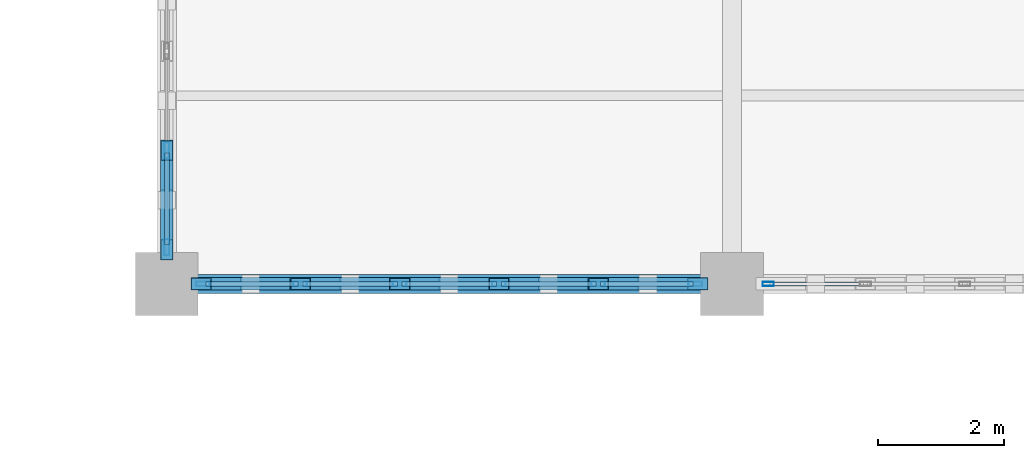
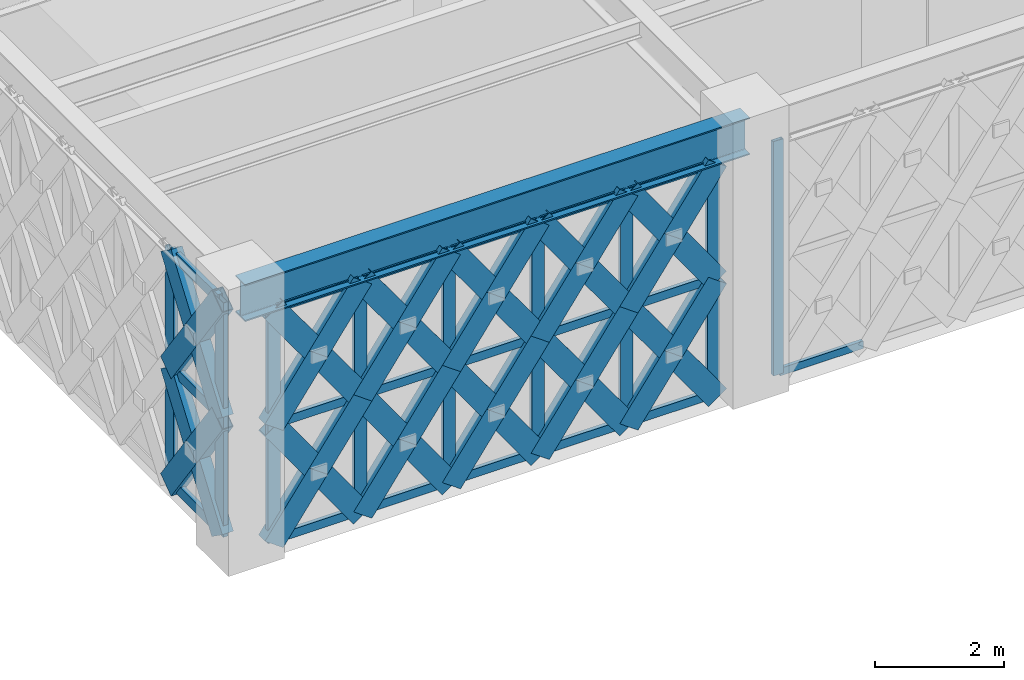
# One storey, part 8 of 140: 64 members, 1 beam, 3 elements without a shape of their own.
"""IFC4 building model written with IfcOpenShell, lengths in metres."""

import ifcopenshell
import ifcopenshell.guid

model = None  # the IFC model being written
_history = None  # IfcOwnerHistory: only IFC2X3 demands one
_inside = {}  # id of a spatial element -> (the spatial element, [elements in it])
_under = {}  # id of a project, library or spatial element -> (it, [spatial elements below it])
_declared = {}  # id of a project -> (the project, [libraries it declares])
_typed = {}  # id of a type object -> (the type object, [elements of that type])
_made_of = {}  # id of a material, layer set ... -> (it, [elements and type objects made of it])


def new_model(schema):
    """Start an empty IFC model of exactly this schema.

    Asked for "IFC4X3", IfcOpenShell would pick the latest addendum, in which some entities
    have other attributes; the version numbers below select the first issue.
    IFC2X3 requires an IfcOwnerHistory on every rooted entity: one is made here for all.
    """
    global model, _history
    if schema == "IFC4X3":
        model = ifcopenshell.file(schema_version=(4, 3, 0, 0))
    else:
        model = ifcopenshell.file(schema=schema)
    _inside.clear()
    _under.clear()
    _declared.clear()
    _typed.clear()
    _made_of.clear()
    _history = None
    if model.schema == "IFC2X3":
        org = make("IfcOrganization", Name="unknown")
        user = make(
            "IfcPersonAndOrganization",
            ThePerson=make("IfcPerson", FamilyName="unknown"),
            TheOrganization=org,
        )
        app = make(
            "IfcApplication",
            ApplicationDeveloper=org,
            Version="unknown",
            ApplicationFullName="unknown",
            ApplicationIdentifier="unknown",
        )
        _history = make(
            "IfcOwnerHistory",
            OwningUser=user,
            OwningApplication=app,
            ChangeAction="ADDED",
            CreationDate=0,
        )
    return model


def make(cls, **values):
    """One entity of the class cls with the attributes given. An attribute that is None is left unset."""
    return model.create_entity(
        cls, **{name: value for name, value in values.items() if value is not None}
    )


def rooted(cls, **values):
    """An entity with a GlobalId (a new one), such as an element, a storey or a relation."""
    return make(cls, GlobalId=ifcopenshell.guid.new(), OwnerHistory=_history, **values)


def si_unit(unit_type, name, prefix=None):
    """IfcSIUnit, for example si_unit("LENGTHUNIT", "METRE", prefix="MILLI")."""
    return make("IfcSIUnit", UnitType=unit_type, Prefix=prefix, Name=name)


def assignment(units):
    """IfcUnitAssignment: the units of a project."""
    return None if units is None else make("IfcUnitAssignment", Units=units)


def point(xyz):
    """IfcCartesianPoint."""
    return None if xyz is None else make("IfcCartesianPoint", Coordinates=xyz)


def direction(xyz):
    """IfcDirection."""
    return None if xyz is None else make("IfcDirection", DirectionRatios=xyz)


def frame(location, z_axis=None, x_axis=None):
    """IfcAxis2Placement3D, a coordinate frame: its origin and axes. An axis left out is left unset."""
    return make(
        "IfcAxis2Placement3D",
        Location=point(location),
        Axis=direction(z_axis),
        RefDirection=direction(x_axis),
    )


def frame_2d(location, x_axis=None):
    """IfcAxis2Placement2D, a coordinate frame in the plane: its origin and x axis."""
    return make(
        "IfcAxis2Placement2D", Location=point(location), RefDirection=direction(x_axis)
    )


def origin():
    """The frame at (0, 0, 0) with its axes left unset."""
    return frame((0.0, 0.0, 0.0))


def origin_2d():
    """The frame at (0, 0) in the plane with its x axis left unset."""
    return frame_2d((0.0, 0.0))


def place(relative_to, where):
    """IfcLocalPlacement: puts the frame where relative to a parent placement (None: the world)."""
    return make(
        "IfcLocalPlacement", PlacementRelTo=relative_to, RelativePlacement=where
    )


def context(
    kind, dimensions, precision=None, world=None, true_north=None, identifier=None
):
    """IfcGeometricRepresentationContext, for example the 3D "Model" context."""
    return make(
        "IfcGeometricRepresentationContext",
        ContextIdentifier=identifier,
        ContextType=kind,
        CoordinateSpaceDimension=dimensions,
        Precision=precision,
        WorldCoordinateSystem=world,
        TrueNorth=true_north,
    )


def subcontext(parent, identifier, kind, view, scale=None):
    """IfcGeometricRepresentationSubContext, for example "Body" below "Model"."""
    return make(
        "IfcGeometricRepresentationSubContext",
        ContextIdentifier=identifier,
        ContextType=kind,
        ParentContext=parent,
        TargetScale=scale,
        TargetView=view,
    )


def project(units=None, contexts=None):
    """IfcProject with its units and contexts."""
    return rooted(
        "IfcProject",
        Name="project",
        RepresentationContexts=contexts,
        UnitsInContext=assignment(units),
    )


def spatial(cls, under=None, at=None, **own):
    """A site, building, storey or space (cls), placed at a placement, below another one or the project."""
    s = rooted(cls, ObjectPlacement=at, **own)
    if under is not None:
        _under.setdefault(under.id(), (under, []))[1].append(s)
    return s


def profile(cls, at=None, kind="AREA", **sizes):
    """A parametric profile (cls). Its sizes go by their IFC names, for example OverallWidth=200.0."""
    return make(cls, ProfileType=kind, Position=at, **sizes)


def hollow_rectangle(**sizes):
    """IfcRectangleHollowProfileDef."""
    return profile("IfcRectangleHollowProfileDef", **sizes)


def i_section(**sizes):
    """IfcIShapeProfileDef."""
    return profile("IfcIShapeProfileDef", **sizes)


def extrude(swept, where, along, depth):
    """IfcExtrudedAreaSolid: the profile swept, set in the frame where, extruded along a direction by depth."""
    return make(
        "IfcExtrudedAreaSolid",
        SweptArea=swept,
        Position=where,
        ExtrudedDirection=direction(along),
        Depth=depth,
    )


def shape(context_of_items, identifier, shape_type, items):
    """IfcShapeRepresentation: the items that make up one representation, for example the "Body"."""
    return make(
        "IfcShapeRepresentation",
        ContextOfItems=context_of_items,
        RepresentationIdentifier=identifier,
        RepresentationType=shape_type,
        Items=items,
    )


def material(Name=None, Category=None):
    """IfcMaterial."""
    return make("IfcMaterial", Name=Name, Category=Category)


def material_profile(
    of_material, cross_section, Name=None, Category=None, Priority=None
):
    """IfcMaterialProfile: a cross section and its material."""
    return make(
        "IfcMaterialProfile",
        Name=Name,
        Material=of_material,
        Profile=cross_section,
        Priority=Priority,
        Category=Category,
    )


def profile_set(profiles, Name=None, composite=None):
    """IfcMaterialProfileSet."""
    return make(
        "IfcMaterialProfileSet",
        Name=Name,
        MaterialProfiles=profiles,
        CompositeProfile=composite,
    )


def made_of(thing, what):
    """Note that an element or type object is made of a material, layer set ...; save() writes the relation."""
    if what is not None:
        _made_of.setdefault(what.id(), (what, []))[1].append(thing)
    return thing


def type_object(cls, material=None, **own):
    """A type object (cls), such as IfcWallType, which elements share."""
    return made_of(rooted(cls, **own), material)


def element(
    cls,
    number,
    at=None,
    inside=None,
    cuts=None,
    type_object=None,
    material=None,
    context=None,
    identifier="Body",
    shape_type=None,
    held_by="IfcProductDefinitionShape",
    body=None,
    shapes=None,
    **own,
):
    """One element of the class cls, such as IfcWall. Its Tag is "e" and its number.

    at: its placement. inside: the storey or other place that contains it. cuts: it is an
    opening in that element (IfcRelVoidsElement). A single representation is given by context,
    identifier, shape_type and body (its items); several are given by shapes. held_by: the class
    of the entity that holds the representations. save() writes the other relations.
    """
    e = rooted(cls, Tag="e%d" % number, ObjectPlacement=at, **own)
    if body is not None:
        shapes = [shape(context, identifier, shape_type, body)]
    if shapes is not None:
        e.Representation = make(held_by, Representations=shapes)
    if inside is not None:
        _inside.setdefault(inside.id(), (inside, []))[1].append(e)
    if cuts is not None:
        rooted(
            "IfcRelVoidsElement", RelatingBuildingElement=cuts, RelatedOpeningElement=e
        )
    if type_object is not None:
        _typed.setdefault(type_object.id(), (type_object, []))[1].append(e)
    return made_of(e, material)


def aggregate(whole, parts):
    """IfcRelAggregates: a whole, such as a stair, and the parts it consists of."""
    return rooted("IfcRelAggregates", RelatingObject=whole, RelatedObjects=parts)


def save(model, path):
    """Write the relations noted so far, then the file.

    IfcRelAggregates (storeys below a building ...), IfcRelContainedInSpatialStructure (elements
    in a storey), IfcRelDefinesByType, IfcRelAssociatesMaterial and IfcRelDeclares: one each for
    every whole, place, type object, material and project.
    """
    for whole, parts in _under.values():
        aggregate(whole, parts)
    for where, things in _inside.values():
        rooted(
            "IfcRelContainedInSpatialStructure",
            RelatedElements=things,
            RelatingStructure=where,
        )
    for kind, things in _typed.values():
        rooted("IfcRelDefinesByType", RelatedObjects=things, RelatingType=kind)
    for what, things in _made_of.values():
        rooted("IfcRelAssociatesMaterial", RelatedObjects=things, RelatingMaterial=what)
    for by, libraries in _declared.values():
        rooted("IfcRelDeclares", RelatingContext=by, RelatedDefinitions=libraries)
    model.write(path)


model = new_model("IFC4")

# Units and contexts
model_context = context("Model", 3, precision=1e-05, world=origin(), true_north=direction((0.0, 1.0)))
body_context = subcontext(model_context, "Body", "Model", "MODEL_VIEW")
ifc_project = project(units=[si_unit("LENGTHUNIT", "METRE"), si_unit("AREAUNIT", "SQUARE_METRE"), si_unit("VOLUMEUNIT", "CUBIC_METRE"), si_unit("PLANEANGLEUNIT", "RADIAN"), si_unit("MASSUNIT", "GRAM", prefix="KILO")], contexts=[model_context])

# Site, building, storey
site_placement = place(None, origin())
site = spatial("IfcSite", under=ifc_project, at=site_placement, CompositionType="ELEMENT")
building_placement = place(site_placement, origin())
building = spatial("IfcBuilding", under=site, at=building_placement, Name="Haizhuo Lancet Aquarium", CompositionType="ELEMENT")
storey_placement = place(building_placement, origin())
storey = spatial("IfcBuildingStorey", under=building, at=storey_placement, Name="L00", CompositionType="ELEMENT", Elevation=0.0)

# Beam
ifc_material_1 = material(Name="Steel S355", Category="steel")
ifc_material_profile_1 = material_profile(ifc_material_1, i_section(OverallWidth=0.300048828125, OverallDepth=0.699951171875, WebThickness=0.012939453125, FlangeThickness=0.02392578125, FilletRadius=0.02587890625, at=origin_2d()), Name="HN 700x300x13x24")
ifc_profile_set_1 = profile_set([ifc_material_profile_1], Name="Steel S355")
beam_type = type_object("IfcBeamType", Name="BM-ST-HN700", PredefinedType="BEAM", material=ifc_profile_set_1)
beam_placement = place(storey_placement, frame((-72.0, -27.0, 4.77001953125), z_axis=(1.0, 0.0, 0.0), x_axis=(0.0, 1.0, 0.0)))
element("IfcBeam", 1, at=beam_placement, inside=storey, type_object=beam_type, Name="L00 V6 primary girder BM-L00-V6-005", PredefinedType="BEAM", context=body_context, shape_type="SweptSolid", body=[
    extrude(i_section(OverallWidth=0.300048828125, OverallDepth=0.699951171875, WebThickness=0.012939453125, FlangeThickness=0.02392578125, FilletRadius=0.02587890625, at=origin_2d()), origin(), (0.0, 0.0, 1.0), 9.0),
])

# Curtain wall, member
ifc_material_2 = material(Name="Aluminium 6063-T6", Category="aluminium")
curtain_wall_type = type_object("IfcCurtainWallType", Name="CWD-7910x4420", PredefinedType="NOTDEFINED", material=ifc_material_2)
curtain_wall_1_placement = place(storey_placement, origin())
curtain_wall_1 = element("IfcCurtainWall", 2, at=curtain_wall_1_placement, inside=storey, type_object=curtain_wall_type, Name="L00 curtain wall CW-V6-L00-199", PredefinedType="NOTDEFINED")
ifc_material_profile_2 = material_profile(ifc_material_2, hollow_rectangle(XDim=0.06494140625, YDim=0.179931640625, WallThickness=0.00390625, at=origin_2d()), Name="ALU-M 65x180x4")
ifc_profile_set_2 = profile_set([ifc_material_profile_2], Name="Aluminium 6063-T6")
member_type_1 = type_object("IfcMemberType", Name="CW-MUL-1", PredefinedType="MULLION", material=ifc_profile_set_2)
member_1_placement = place(storey_placement, frame((-62.422119140625, -27.0, 0.0), z_axis=(0.0, 0.0, 1.0), x_axis=(0.0, -1.0, 0.0)))
member_1 = element("IfcMember", 3, at=member_1_placement, type_object=member_type_1, Name="CWD-79x44 mullion 6", PredefinedType="MULLION", context=body_context, shape_type="SweptSolid", body=[
    extrude(hollow_rectangle(XDim=0.06494140625, YDim=0.179931640625, WallThickness=0.00390625, at=origin_2d()), origin(), (0.0, 0.0, 1.0), 4.419921875),
])

# Curtain wall, members
curtain_wall_2_placement = place(storey_placement, origin())
curtain_wall_2 = element("IfcCurtainWall", 4, at=curtain_wall_2_placement, inside=storey, type_object=curtain_wall_type, Name="L00 curtain wall CW-V6-L00-200", PredefinedType="NOTDEFINED")
ifc_material_profile_3 = material_profile(ifc_material_2, hollow_rectangle(XDim=0.074951171875, YDim=0.219970703125, WallThickness=0.0048828125, at=origin_2d()), Name="ALU-M 75x220x5")
ifc_profile_set_3 = profile_set([ifc_material_profile_3], Name="Aluminium 6063-T6")
member_type_2 = type_object("IfcMemberType", Name="CW-MUL-2", PredefinedType="MULLION", material=ifc_profile_set_3)
member_2_placement = place(storey_placement, frame((-63.5830078125, -27.0, 0.0), z_axis=(0.0, 0.0, 1.0), x_axis=(0.0, -1.0, 0.0)))
member_2 = element("IfcMember", 5, at=member_2_placement, type_object=member_type_2, Name="CWD-79x44 mullion 1", PredefinedType="MULLION", context=body_context, shape_type="SweptSolid", body=[
    extrude(hollow_rectangle(XDim=0.074951171875, YDim=0.219970703125, WallThickness=0.0048828125, at=origin_2d()), origin(), (0.0, 0.0, 1.0), 4.419921875),
])
member_3_placement = place(storey_placement, frame((-65.126953125, -27.0, 0.0), z_axis=(0.0, 0.0, 1.0), x_axis=(0.0, -1.0, 0.0)))
member_3 = element("IfcMember", 6, at=member_3_placement, type_object=member_type_2, Name="CWD-79x44 mullion 2", PredefinedType="MULLION", context=body_context, shape_type="SweptSolid", body=[
    extrude(hollow_rectangle(XDim=0.074951171875, YDim=0.219970703125, WallThickness=0.0048828125, at=origin_2d()), origin(), (0.0, 0.0, 1.0), 4.419921875),
])
member_4_placement = place(storey_placement, frame((-66.708984375, -27.0, 0.0), z_axis=(0.0, 0.0, 1.0), x_axis=(0.0, -1.0, 0.0)))
member_4 = element("IfcMember", 7, at=member_4_placement, type_object=member_type_2, Name="CWD-79x44 mullion 3", PredefinedType="MULLION", context=body_context, shape_type="SweptSolid", body=[
    extrude(hollow_rectangle(XDim=0.074951171875, YDim=0.219970703125, WallThickness=0.0048828125, at=origin_2d()), origin(), (0.0, 0.0, 1.0), 4.419921875),
])
member_5_placement = place(storey_placement, frame((-68.291015625, -27.0, 0.0), z_axis=(0.0, 0.0, 1.0), x_axis=(0.0, -1.0, 0.0)))
member_5 = element("IfcMember", 8, at=member_5_placement, type_object=member_type_2, Name="CWD-79x44 mullion 4", PredefinedType="MULLION", context=body_context, shape_type="SweptSolid", body=[
    extrude(hollow_rectangle(XDim=0.074951171875, YDim=0.219970703125, WallThickness=0.0048828125, at=origin_2d()), origin(), (0.0, 0.0, 1.0), 4.419921875),
])
member_6_placement = place(storey_placement, frame((-69.873046875, -27.0, 0.0), z_axis=(0.0, 0.0, 1.0), x_axis=(0.0, -1.0, 0.0)))
member_6 = element("IfcMember", 9, at=member_6_placement, type_object=member_type_2, Name="CWD-79x44 mullion 5", PredefinedType="MULLION", context=body_context, shape_type="SweptSolid", body=[
    extrude(hollow_rectangle(XDim=0.074951171875, YDim=0.219970703125, WallThickness=0.0048828125, at=origin_2d()), origin(), (0.0, 0.0, 1.0), 4.419921875),
])
member_7_placement = place(storey_placement, frame((-71.41796875, -27.0, 0.0), z_axis=(0.0, 0.0, 1.0), x_axis=(0.0, -1.0, 0.0)))
member_7 = element("IfcMember", 10, at=member_7_placement, type_object=member_type_2, Name="CWD-79x44 mullion 6", PredefinedType="MULLION", context=body_context, shape_type="SweptSolid", body=[
    extrude(hollow_rectangle(XDim=0.074951171875, YDim=0.219970703125, WallThickness=0.0048828125, at=origin_2d()), origin(), (0.0, 0.0, 1.0), 4.419921875),
])

curtain_wall_3_placement = place(storey_placement, origin())
curtain_wall_3 = element("IfcCurtainWall", 11, at=curtain_wall_3_placement, inside=storey, type_object=curtain_wall_type, Name="L00 curtain wall CW-V6-L00-201", PredefinedType="NOTDEFINED")
ifc_material_profile_4 = material_profile(ifc_material_2, hollow_rectangle(XDim=0.080078125, YDim=0.260009765625, WallThickness=0.0048828125, at=origin_2d()), Name="ALU-M 80x260x5")
ifc_profile_set_4 = profile_set([ifc_material_profile_4], Name="Aluminium 6063-T6")
member_type_3 = type_object("IfcMemberType", Name="CW-MUL-3", PredefinedType="MULLION", material=ifc_profile_set_4)
member_8_placement = place(storey_placement, frame((-72.0, -26.4150390625, 0.0), z_axis=(0.0, 0.0, 1.0), x_axis=(-1.0, 0.0, 0.0)))
member_8 = element("IfcMember", 12, at=member_8_placement, type_object=member_type_3, Name="CWD-79x44 mullion 1", PredefinedType="MULLION", context=body_context, shape_type="SweptSolid", body=[
    extrude(hollow_rectangle(XDim=0.080078125, YDim=0.260009765625, WallThickness=0.0048828125, at=origin_2d()), origin(), (0.0, 0.0, 1.0), 4.419921875),
])
member_9_placement = place(storey_placement, frame((-72.0, -24.873046875, 0.0), z_axis=(0.0, 0.0, 1.0), x_axis=(-1.0, 0.0, 0.0)))
member_9 = element("IfcMember", 13, at=member_9_placement, type_object=member_type_3, Name="CWD-79x44 mullion 2", PredefinedType="MULLION", context=body_context, shape_type="SweptSolid", body=[
    extrude(hollow_rectangle(XDim=0.080078125, YDim=0.260009765625, WallThickness=0.0048828125, at=origin_2d()), origin(), (0.0, 0.0, 1.0), 4.419921875),
])

# Member
ifc_material_profile_5 = material_profile(ifc_material_2, hollow_rectangle(XDim=0.06494140625, YDim=0.139892578125, WallThickness=0.00390625, at=origin_2d()), Name="ALU-T 65x140x4")
ifc_profile_set_5 = profile_set([ifc_material_profile_5], Name="Aluminium 6063-T6")
member_type_4 = type_object("IfcMemberType", Name="CW-TRN-1", PredefinedType="NOTDEFINED", material=ifc_profile_set_5)
member_10_placement = place(storey_placement, frame((-60.905029296875, -27.0, 0.032958984375), z_axis=(-1.0, 0.0, 0.0), x_axis=(0.0, -1.0, 0.0)))
member_10 = element("IfcMember", 14, at=member_10_placement, type_object=member_type_4, Name="CWD-79x44 transom 5.1", ObjectType="TRANSOM", PredefinedType="USERDEFINED", context=body_context, shape_type="SweptSolid", body=[
    extrude(hollow_rectangle(XDim=0.06494140625, YDim=0.139892578125, WallThickness=0.00390625, at=origin_2d()), origin(), (0.0, 0.0, 1.0), 1.48486328125),
])

aggregate(curtain_wall_1, [member_1, member_10])

ifc_material_profile_6 = material_profile(ifc_material_2, hollow_rectangle(XDim=0.074951171875, YDim=0.159912109375, WallThickness=0.00390625, at=origin_2d()), Name="ALU-T 75x160x4")
ifc_profile_set_6 = profile_set([ifc_material_profile_6], Name="Aluminium 6063-T6")
member_type_5 = type_object("IfcMemberType", Name="CW-TRN-2", PredefinedType="NOTDEFINED", material=ifc_profile_set_6)
member_11_placement = place(storey_placement, frame((-63.6201171875, -27.0, 0.037109375), z_axis=(-1.0, 0.0, 0.0), x_axis=(0.0, -1.0, 0.0)))
member_11 = element("IfcMember", 15, at=member_11_placement, type_object=member_type_5, Name="CWD-79x44 transom 1.1", ObjectType="TRANSOM", PredefinedType="USERDEFINED", context=body_context, shape_type="SweptSolid", body=[
    extrude(hollow_rectangle(XDim=0.074951171875, YDim=0.159912109375, WallThickness=0.00390625, at=origin_2d()), origin(), (0.0, 0.0, 1.0), 1.469970703125),
])

member_12_placement = place(storey_placement, frame((-63.6201171875, -27.0, 2.2099609375), z_axis=(-1.0, 0.0, 0.0), x_axis=(0.0, -1.0, 0.0)))
member_12 = element("IfcMember", 16, at=member_12_placement, type_object=member_type_5, Name="CWD-79x44 transom 1.2", ObjectType="TRANSOM", PredefinedType="USERDEFINED", context=body_context, shape_type="SweptSolid", body=[
    extrude(hollow_rectangle(XDim=0.074951171875, YDim=0.159912109375, WallThickness=0.00390625, at=origin_2d()), origin(), (0.0, 0.0, 1.0), 1.469970703125),
])

member_13_placement = place(storey_placement, frame((-63.6201171875, -27.0, 4.383056640625), z_axis=(-1.0, 0.0, 0.0), x_axis=(0.0, -1.0, 0.0)))
member_13 = element("IfcMember", 17, at=member_13_placement, type_object=member_type_5, Name="CWD-79x44 transom 1.3", ObjectType="TRANSOM", PredefinedType="USERDEFINED", context=body_context, shape_type="SweptSolid", body=[
    extrude(hollow_rectangle(XDim=0.074951171875, YDim=0.159912109375, WallThickness=0.00390625, at=origin_2d()), origin(), (0.0, 0.0, 1.0), 1.469970703125),
])

member_14_placement = place(storey_placement, frame((-65.1650390625, -27.0, 0.037109375), z_axis=(-1.0, 0.0, 0.0), x_axis=(0.0, -1.0, 0.0)))
member_14 = element("IfcMember", 18, at=member_14_placement, type_object=member_type_5, Name="CWD-79x44 transom 2.1", ObjectType="TRANSOM", PredefinedType="USERDEFINED", context=body_context, shape_type="SweptSolid", body=[
    extrude(hollow_rectangle(XDim=0.074951171875, YDim=0.159912109375, WallThickness=0.00390625, at=origin_2d()), origin(), (0.0, 0.0, 1.0), 1.505859375),
])

member_15_placement = place(storey_placement, frame((-65.1650390625, -27.0, 2.2099609375), z_axis=(-1.0, 0.0, 0.0), x_axis=(0.0, -1.0, 0.0)))
member_15 = element("IfcMember", 19, at=member_15_placement, type_object=member_type_5, Name="CWD-79x44 transom 2.2", ObjectType="TRANSOM", PredefinedType="USERDEFINED", context=body_context, shape_type="SweptSolid", body=[
    extrude(hollow_rectangle(XDim=0.074951171875, YDim=0.159912109375, WallThickness=0.00390625, at=origin_2d()), origin(), (0.0, 0.0, 1.0), 1.505859375),
])

member_16_placement = place(storey_placement, frame((-65.1650390625, -27.0, 4.383056640625), z_axis=(-1.0, 0.0, 0.0), x_axis=(0.0, -1.0, 0.0)))
member_16 = element("IfcMember", 20, at=member_16_placement, type_object=member_type_5, Name="CWD-79x44 transom 2.3", ObjectType="TRANSOM", PredefinedType="USERDEFINED", context=body_context, shape_type="SweptSolid", body=[
    extrude(hollow_rectangle(XDim=0.074951171875, YDim=0.159912109375, WallThickness=0.00390625, at=origin_2d()), origin(), (0.0, 0.0, 1.0), 1.505859375),
])

member_17_placement = place(storey_placement, frame((-66.74609375, -27.0, 0.037109375), z_axis=(-1.0, 0.0, 0.0), x_axis=(0.0, -1.0, 0.0)))
member_17 = element("IfcMember", 21, at=member_17_placement, type_object=member_type_5, Name="CWD-79x44 transom 3.1", ObjectType="TRANSOM", PredefinedType="USERDEFINED", context=body_context, shape_type="SweptSolid", body=[
    extrude(hollow_rectangle(XDim=0.074951171875, YDim=0.159912109375, WallThickness=0.00390625, at=origin_2d()), origin(), (0.0, 0.0, 1.0), 1.5078125),
])

member_18_placement = place(storey_placement, frame((-66.74609375, -27.0, 2.2099609375), z_axis=(-1.0, 0.0, 0.0), x_axis=(0.0, -1.0, 0.0)))
member_18 = element("IfcMember", 22, at=member_18_placement, type_object=member_type_5, Name="CWD-79x44 transom 3.2", ObjectType="TRANSOM", PredefinedType="USERDEFINED", context=body_context, shape_type="SweptSolid", body=[
    extrude(hollow_rectangle(XDim=0.074951171875, YDim=0.159912109375, WallThickness=0.00390625, at=origin_2d()), origin(), (0.0, 0.0, 1.0), 1.5078125),
])

member_19_placement = place(storey_placement, frame((-66.74609375, -27.0, 4.383056640625), z_axis=(-1.0, 0.0, 0.0), x_axis=(0.0, -1.0, 0.0)))
member_19 = element("IfcMember", 23, at=member_19_placement, type_object=member_type_5, Name="CWD-79x44 transom 3.3", ObjectType="TRANSOM", PredefinedType="USERDEFINED", context=body_context, shape_type="SweptSolid", body=[
    extrude(hollow_rectangle(XDim=0.074951171875, YDim=0.159912109375, WallThickness=0.00390625, at=origin_2d()), origin(), (0.0, 0.0, 1.0), 1.5078125),
])

member_20_placement = place(storey_placement, frame((-68.3291015625, -27.0, 0.037109375), z_axis=(-1.0, 0.0, 0.0), x_axis=(0.0, -1.0, 0.0)))
member_20 = element("IfcMember", 24, at=member_20_placement, type_object=member_type_5, Name="CWD-79x44 transom 4.1", ObjectType="TRANSOM", PredefinedType="USERDEFINED", context=body_context, shape_type="SweptSolid", body=[
    extrude(hollow_rectangle(XDim=0.074951171875, YDim=0.159912109375, WallThickness=0.00390625, at=origin_2d()), origin(), (0.0, 0.0, 1.0), 1.505859375),
])

member_21_placement = place(storey_placement, frame((-68.3291015625, -27.0, 2.2099609375), z_axis=(-1.0, 0.0, 0.0), x_axis=(0.0, -1.0, 0.0)))
member_21 = element("IfcMember", 25, at=member_21_placement, type_object=member_type_5, Name="CWD-79x44 transom 4.2", ObjectType="TRANSOM", PredefinedType="USERDEFINED", context=body_context, shape_type="SweptSolid", body=[
    extrude(hollow_rectangle(XDim=0.074951171875, YDim=0.159912109375, WallThickness=0.00390625, at=origin_2d()), origin(), (0.0, 0.0, 1.0), 1.505859375),
])

member_22_placement = place(storey_placement, frame((-68.3291015625, -27.0, 4.383056640625), z_axis=(-1.0, 0.0, 0.0), x_axis=(0.0, -1.0, 0.0)))
member_22 = element("IfcMember", 26, at=member_22_placement, type_object=member_type_5, Name="CWD-79x44 transom 4.3", ObjectType="TRANSOM", PredefinedType="USERDEFINED", context=body_context, shape_type="SweptSolid", body=[
    extrude(hollow_rectangle(XDim=0.074951171875, YDim=0.159912109375, WallThickness=0.00390625, at=origin_2d()), origin(), (0.0, 0.0, 1.0), 1.505859375),
])

member_23_placement = place(storey_placement, frame((-69.909912109375, -27.0, 0.037109375), z_axis=(-1.0, 0.0, 0.0), x_axis=(0.0, -1.0, 0.0)))
member_23 = element("IfcMember", 27, at=member_23_placement, type_object=member_type_5, Name="CWD-79x44 transom 5.1", ObjectType="TRANSOM", PredefinedType="USERDEFINED", context=body_context, shape_type="SweptSolid", body=[
    extrude(hollow_rectangle(XDim=0.074951171875, YDim=0.159912109375, WallThickness=0.00390625, at=origin_2d()), origin(), (0.0, 0.0, 1.0), 1.469970703125),
])

member_24_placement = place(storey_placement, frame((-69.909912109375, -27.0, 2.2099609375), z_axis=(-1.0, 0.0, 0.0), x_axis=(0.0, -1.0, 0.0)))
member_24 = element("IfcMember", 28, at=member_24_placement, type_object=member_type_5, Name="CWD-79x44 transom 5.2", ObjectType="TRANSOM", PredefinedType="USERDEFINED", context=body_context, shape_type="SweptSolid", body=[
    extrude(hollow_rectangle(XDim=0.074951171875, YDim=0.159912109375, WallThickness=0.00390625, at=origin_2d()), origin(), (0.0, 0.0, 1.0), 1.469970703125),
])

member_25_placement = place(storey_placement, frame((-69.909912109375, -27.0, 4.383056640625), z_axis=(-1.0, 0.0, 0.0), x_axis=(0.0, -1.0, 0.0)))
member_25 = element("IfcMember", 29, at=member_25_placement, type_object=member_type_5, Name="CWD-79x44 transom 5.3", ObjectType="TRANSOM", PredefinedType="USERDEFINED", context=body_context, shape_type="SweptSolid", body=[
    extrude(hollow_rectangle(XDim=0.074951171875, YDim=0.159912109375, WallThickness=0.00390625, at=origin_2d()), origin(), (0.0, 0.0, 1.0), 1.469970703125),
])

aggregate(curtain_wall_2, [member_2, member_3, member_4, member_5, member_6, member_7, member_11, member_12, member_13, member_14, member_15, member_16, member_17, member_18, member_19, member_20, member_21, member_22, member_23, member_24, member_25])

ifc_material_profile_7 = material_profile(ifc_material_2, hollow_rectangle(XDim=0.080078125, YDim=0.18994140625, WallThickness=0.0048828125, at=origin_2d()), Name="ALU-T 80x190x5")
ifc_profile_set_7 = profile_set([ifc_material_profile_7], Name="Aluminium 6063-T6")
member_type_6 = type_object("IfcMemberType", Name="CW-TRN-3", PredefinedType="NOTDEFINED", material=ifc_profile_set_7)
member_26_placement = place(storey_placement, frame((-72.0, -26.375, 0.0400390625), z_axis=(0.0, 1.0, 0.0), x_axis=(-1.0, 0.0, 0.0)))
member_26 = element("IfcMember", 30, at=member_26_placement, type_object=member_type_6, Name="CWD-79x44 transom 1.1", ObjectType="TRANSOM", PredefinedType="USERDEFINED", context=body_context, shape_type="SweptSolid", body=[
    extrude(hollow_rectangle(XDim=0.080078125, YDim=0.18994140625, WallThickness=0.0048828125, at=origin_2d()), origin(), (0.0, 0.0, 1.0), 1.4619140625),
])

member_27_placement = place(storey_placement, frame((-72.0, -26.375, 2.2099609375), z_axis=(0.0, 1.0, 0.0), x_axis=(-1.0, 0.0, 0.0)))
member_27 = element("IfcMember", 31, at=member_27_placement, type_object=member_type_6, Name="CWD-79x44 transom 1.2", ObjectType="TRANSOM", PredefinedType="USERDEFINED", context=body_context, shape_type="SweptSolid", body=[
    extrude(hollow_rectangle(XDim=0.080078125, YDim=0.18994140625, WallThickness=0.0048828125, at=origin_2d()), origin(), (0.0, 0.0, 1.0), 1.4619140625),
])

member_28_placement = place(storey_placement, frame((-72.0, -26.375, 4.3798828125), z_axis=(0.0, 1.0, 0.0), x_axis=(-1.0, 0.0, 0.0)))
member_28 = element("IfcMember", 32, at=member_28_placement, type_object=member_type_6, Name="CWD-79x44 transom 1.3", ObjectType="TRANSOM", PredefinedType="USERDEFINED", context=body_context, shape_type="SweptSolid", body=[
    extrude(hollow_rectangle(XDim=0.080078125, YDim=0.18994140625, WallThickness=0.0048828125, at=origin_2d()), origin(), (0.0, 0.0, 1.0), 1.4619140625),
])

aggregate(curtain_wall_3, [member_8, member_9, member_26, member_27, member_28])

# Members
ifc_material_profile_8 = material_profile(ifc_material_1, hollow_rectangle(XDim=0.199951171875, YDim=0.39990234375, WallThickness=0.011962890625, at=origin_2d()), Name="RHS 200x400x12")
ifc_profile_set_8 = profile_set([ifc_material_profile_8], Name="Steel S355")
member_type_7 = type_object("IfcMemberType", Name="MEM-LB-RHS200x400", PredefinedType="BRACE", material=ifc_profile_set_8)
member_29_placement = place(storey_placement, frame((-63.544921875, -27.0, 0.0), z_axis=(-0.582087604305, 0.0, 0.813126079347), x_axis=(0.0, -1.0, 0.0)))
element("IfcMember", 33, at=member_29_placement, inside=storey, type_object=member_type_7, Name="Gothic lancet continuous diagonal brace CW-V6-L00-200 1A", PredefinedType="BRACE", context=body_context, shape_type="SweptSolid", body=[
    extrude(hollow_rectangle(XDim=0.199951171875, YDim=0.39990234375, WallThickness=0.011962890625, at=origin_2d()), origin(), (0.0, 0.0, 1.0), 2.7177734375),
])
for number, where, z_axis, x_axis, name in (
    (34, (-65.126953125, -27.0, 0.0), (0.582087604305, 0.0, 0.813126079347), (0.0, 1.0, 0.0), "Gothic lancet split diagonal brace CW-V6-L00-200 1B1"),
    (35, (-64.3359375, -27.0, 1.10498046875), (0.582087604305, 0.0, 0.813126079347), (0.0, 1.0, 0.0), "Gothic lancet split diagonal brace CW-V6-L00-200 1B2"),
):
    element("IfcMember", number, at=place(storey_placement, frame(where, z_axis=z_axis, x_axis=x_axis)), inside=storey, type_object=member_type_7, Name=name, PredefinedType="BRACE", context=body_context, shape_type="SweptSolid", body=[
        extrude(hollow_rectangle(XDim=0.199951171875, YDim=0.39990234375, WallThickness=0.011962890625, at=origin_2d()), origin(), (0.0, 0.0, 1.0), 1.35888671875),
    ])
member_30_placement = place(storey_placement, frame((-63.544921875, -27.0, 2.2099609375), z_axis=(-0.582087604305, 0.0, 0.813126079347), x_axis=(0.0, -1.0, 0.0)))
element("IfcMember", 36, at=member_30_placement, inside=storey, type_object=member_type_7, Name="Gothic lancet continuous diagonal brace CW-V6-L00-200 2A", PredefinedType="BRACE", context=body_context, shape_type="SweptSolid", body=[
    extrude(hollow_rectangle(XDim=0.199951171875, YDim=0.39990234375, WallThickness=0.011962890625, at=origin_2d()), origin(), (0.0, 0.0, 1.0), 2.7177734375),
])
for number, where, z_axis, x_axis, name in (
    (37, (-65.126953125, -27.0, 2.2099609375), (0.582087604305, 0.0, 0.813126079347), (0.0, 1.0, 0.0), "Gothic lancet split diagonal brace CW-V6-L00-200 2B1"),
    (38, (-64.3359375, -27.0, 3.31494140625), (0.582087604305, 0.0, 0.813126079347), (0.0, 1.0, 0.0), "Gothic lancet split diagonal brace CW-V6-L00-200 2B2"),
):
    element("IfcMember", number, at=place(storey_placement, frame(where, z_axis=z_axis, x_axis=x_axis)), inside=storey, type_object=member_type_7, Name=name, PredefinedType="BRACE", context=body_context, shape_type="SweptSolid", body=[
        extrude(hollow_rectangle(XDim=0.199951171875, YDim=0.39990234375, WallThickness=0.011962890625, at=origin_2d()), origin(), (0.0, 0.0, 1.0), 1.35888671875),
    ])
member_31_placement = place(storey_placement, frame((-65.126953125, -27.0, 0.0), z_axis=(-0.582087604305, 0.0, 0.813126079347), x_axis=(0.0, -1.0, 0.0)))
element("IfcMember", 39, at=member_31_placement, inside=storey, type_object=member_type_7, Name="Gothic lancet continuous diagonal brace CW-V6-L00-200 3A", PredefinedType="BRACE", context=body_context, shape_type="SweptSolid", body=[
    extrude(hollow_rectangle(XDim=0.199951171875, YDim=0.39990234375, WallThickness=0.011962890625, at=origin_2d()), origin(), (0.0, 0.0, 1.0), 2.7177734375),
])
for number, where, z_axis, x_axis, name in (
    (40, (-66.708984375, -27.0, 0.0), (0.582087604305, 0.0, 0.813126079347), (0.0, 1.0, 0.0), "Gothic lancet split diagonal brace CW-V6-L00-200 3B1"),
    (41, (-65.91796875, -27.0, 1.10498046875), (0.582087604305, 0.0, 0.813126079347), (0.0, 1.0, 0.0), "Gothic lancet split diagonal brace CW-V6-L00-200 3B2"),
):
    element("IfcMember", number, at=place(storey_placement, frame(where, z_axis=z_axis, x_axis=x_axis)), inside=storey, type_object=member_type_7, Name=name, PredefinedType="BRACE", context=body_context, shape_type="SweptSolid", body=[
        extrude(hollow_rectangle(XDim=0.199951171875, YDim=0.39990234375, WallThickness=0.011962890625, at=origin_2d()), origin(), (0.0, 0.0, 1.0), 1.35888671875),
    ])
member_32_placement = place(storey_placement, frame((-65.126953125, -27.0, 2.2099609375), z_axis=(-0.582087604305, 0.0, 0.813126079347), x_axis=(0.0, -1.0, 0.0)))
element("IfcMember", 42, at=member_32_placement, inside=storey, type_object=member_type_7, Name="Gothic lancet continuous diagonal brace CW-V6-L00-200 4A", PredefinedType="BRACE", context=body_context, shape_type="SweptSolid", body=[
    extrude(hollow_rectangle(XDim=0.199951171875, YDim=0.39990234375, WallThickness=0.011962890625, at=origin_2d()), origin(), (0.0, 0.0, 1.0), 2.7177734375),
])
for number, where, z_axis, x_axis, name in (
    (43, (-66.708984375, -27.0, 2.2099609375), (0.582087604305, 0.0, 0.813126079347), (0.0, 1.0, 0.0), "Gothic lancet split diagonal brace CW-V6-L00-200 4B1"),
    (44, (-65.91796875, -27.0, 3.31494140625), (0.582087604305, 0.0, 0.813126079347), (0.0, 1.0, 0.0), "Gothic lancet split diagonal brace CW-V6-L00-200 4B2"),
):
    element("IfcMember", number, at=place(storey_placement, frame(where, z_axis=z_axis, x_axis=x_axis)), inside=storey, type_object=member_type_7, Name=name, PredefinedType="BRACE", context=body_context, shape_type="SweptSolid", body=[
        extrude(hollow_rectangle(XDim=0.199951171875, YDim=0.39990234375, WallThickness=0.011962890625, at=origin_2d()), origin(), (0.0, 0.0, 1.0), 1.35888671875),
    ])
member_33_placement = place(storey_placement, frame((-66.708984375, -27.0, 0.0), z_axis=(-0.582087604305, 0.0, 0.813126079347), x_axis=(0.0, -1.0, 0.0)))
element("IfcMember", 45, at=member_33_placement, inside=storey, type_object=member_type_7, Name="Gothic lancet continuous diagonal brace CW-V6-L00-200 5A", PredefinedType="BRACE", context=body_context, shape_type="SweptSolid", body=[
    extrude(hollow_rectangle(XDim=0.199951171875, YDim=0.39990234375, WallThickness=0.011962890625, at=origin_2d()), origin(), (0.0, 0.0, 1.0), 2.7177734375),
])
for number, where, z_axis, x_axis, name in (
    (46, (-68.291015625, -27.0, 0.0), (0.582087604305, 0.0, 0.813126079347), (0.0, 1.0, 0.0), "Gothic lancet split diagonal brace CW-V6-L00-200 5B1"),
    (47, (-67.5, -27.0, 1.10498046875), (0.582087604305, 0.0, 0.813126079347), (0.0, 1.0, 0.0), "Gothic lancet split diagonal brace CW-V6-L00-200 5B2"),
):
    element("IfcMember", number, at=place(storey_placement, frame(where, z_axis=z_axis, x_axis=x_axis)), inside=storey, type_object=member_type_7, Name=name, PredefinedType="BRACE", context=body_context, shape_type="SweptSolid", body=[
        extrude(hollow_rectangle(XDim=0.199951171875, YDim=0.39990234375, WallThickness=0.011962890625, at=origin_2d()), origin(), (0.0, 0.0, 1.0), 1.35888671875),
    ])
member_34_placement = place(storey_placement, frame((-66.708984375, -27.0, 2.2099609375), z_axis=(-0.582087604305, 0.0, 0.813126079347), x_axis=(0.0, -1.0, 0.0)))
element("IfcMember", 48, at=member_34_placement, inside=storey, type_object=member_type_7, Name="Gothic lancet continuous diagonal brace CW-V6-L00-200 6A", PredefinedType="BRACE", context=body_context, shape_type="SweptSolid", body=[
    extrude(hollow_rectangle(XDim=0.199951171875, YDim=0.39990234375, WallThickness=0.011962890625, at=origin_2d()), origin(), (0.0, 0.0, 1.0), 2.7177734375),
])
for number, where, z_axis, x_axis, name in (
    (49, (-68.291015625, -27.0, 2.2099609375), (0.582087604305, 0.0, 0.813126079347), (0.0, 1.0, 0.0), "Gothic lancet split diagonal brace CW-V6-L00-200 6B1"),
    (50, (-67.5, -27.0, 3.31494140625), (0.582087604305, 0.0, 0.813126079347), (0.0, 1.0, 0.0), "Gothic lancet split diagonal brace CW-V6-L00-200 6B2"),
):
    element("IfcMember", number, at=place(storey_placement, frame(where, z_axis=z_axis, x_axis=x_axis)), inside=storey, type_object=member_type_7, Name=name, PredefinedType="BRACE", context=body_context, shape_type="SweptSolid", body=[
        extrude(hollow_rectangle(XDim=0.199951171875, YDim=0.39990234375, WallThickness=0.011962890625, at=origin_2d()), origin(), (0.0, 0.0, 1.0), 1.35888671875),
    ])
member_35_placement = place(storey_placement, frame((-68.291015625, -27.0, 0.0), z_axis=(-0.582087604305, 0.0, 0.813126079347), x_axis=(0.0, -1.0, 0.0)))
element("IfcMember", 51, at=member_35_placement, inside=storey, type_object=member_type_7, Name="Gothic lancet continuous diagonal brace CW-V6-L00-200 7A", PredefinedType="BRACE", context=body_context, shape_type="SweptSolid", body=[
    extrude(hollow_rectangle(XDim=0.199951171875, YDim=0.39990234375, WallThickness=0.011962890625, at=origin_2d()), origin(), (0.0, 0.0, 1.0), 2.7177734375),
])
for number, where, z_axis, x_axis, name in (
    (52, (-69.873046875, -27.0, 0.0), (0.582087604305, 0.0, 0.813126079347), (0.0, 1.0, 0.0), "Gothic lancet split diagonal brace CW-V6-L00-200 7B1"),
    (53, (-69.08203125, -27.0, 1.10498046875), (0.582087604305, 0.0, 0.813126079347), (0.0, 1.0, 0.0), "Gothic lancet split diagonal brace CW-V6-L00-200 7B2"),
):
    element("IfcMember", number, at=place(storey_placement, frame(where, z_axis=z_axis, x_axis=x_axis)), inside=storey, type_object=member_type_7, Name=name, PredefinedType="BRACE", context=body_context, shape_type="SweptSolid", body=[
        extrude(hollow_rectangle(XDim=0.199951171875, YDim=0.39990234375, WallThickness=0.011962890625, at=origin_2d()), origin(), (0.0, 0.0, 1.0), 1.35888671875),
    ])
member_36_placement = place(storey_placement, frame((-68.291015625, -27.0, 2.2099609375), z_axis=(-0.582087604305, 0.0, 0.813126079347), x_axis=(0.0, -1.0, 0.0)))
element("IfcMember", 54, at=member_36_placement, inside=storey, type_object=member_type_7, Name="Gothic lancet continuous diagonal brace CW-V6-L00-200 8A", PredefinedType="BRACE", context=body_context, shape_type="SweptSolid", body=[
    extrude(hollow_rectangle(XDim=0.199951171875, YDim=0.39990234375, WallThickness=0.011962890625, at=origin_2d()), origin(), (0.0, 0.0, 1.0), 2.7177734375),
])
for number, where, z_axis, x_axis, name in (
    (55, (-69.873046875, -27.0, 2.2099609375), (0.582087604305, 0.0, 0.813126079347), (0.0, 1.0, 0.0), "Gothic lancet split diagonal brace CW-V6-L00-200 8B1"),
    (56, (-69.08203125, -27.0, 3.31494140625), (0.582087604305, 0.0, 0.813126079347), (0.0, 1.0, 0.0), "Gothic lancet split diagonal brace CW-V6-L00-200 8B2"),
):
    element("IfcMember", number, at=place(storey_placement, frame(where, z_axis=z_axis, x_axis=x_axis)), inside=storey, type_object=member_type_7, Name=name, PredefinedType="BRACE", context=body_context, shape_type="SweptSolid", body=[
        extrude(hollow_rectangle(XDim=0.199951171875, YDim=0.39990234375, WallThickness=0.011962890625, at=origin_2d()), origin(), (0.0, 0.0, 1.0), 1.35888671875),
    ])
member_37_placement = place(storey_placement, frame((-69.873046875, -27.0, 0.0), z_axis=(-0.582087604305, 0.0, 0.813126079347), x_axis=(0.0, -1.0, 0.0)))
element("IfcMember", 57, at=member_37_placement, inside=storey, type_object=member_type_7, Name="Gothic lancet continuous diagonal brace CW-V6-L00-200 9A", PredefinedType="BRACE", context=body_context, shape_type="SweptSolid", body=[
    extrude(hollow_rectangle(XDim=0.199951171875, YDim=0.39990234375, WallThickness=0.011962890625, at=origin_2d()), origin(), (0.0, 0.0, 1.0), 2.7177734375),
])
for number, where, z_axis, x_axis, name in (
    (58, (-71.455078125, -27.0, 0.0), (0.582087604305, 0.0, 0.813126079347), (0.0, 1.0, 0.0), "Gothic lancet split diagonal brace CW-V6-L00-200 9B1"),
    (59, (-70.6640625, -27.0, 1.10498046875), (0.582087604305, 0.0, 0.813126079347), (0.0, 1.0, 0.0), "Gothic lancet split diagonal brace CW-V6-L00-200 9B2"),
):
    element("IfcMember", number, at=place(storey_placement, frame(where, z_axis=z_axis, x_axis=x_axis)), inside=storey, type_object=member_type_7, Name=name, PredefinedType="BRACE", context=body_context, shape_type="SweptSolid", body=[
        extrude(hollow_rectangle(XDim=0.199951171875, YDim=0.39990234375, WallThickness=0.011962890625, at=origin_2d()), origin(), (0.0, 0.0, 1.0), 1.35888671875),
    ])
member_38_placement = place(storey_placement, frame((-69.873046875, -27.0, 2.2099609375), z_axis=(-0.582087604305, 0.0, 0.813126079347), x_axis=(0.0, -1.0, 0.0)))
element("IfcMember", 60, at=member_38_placement, inside=storey, type_object=member_type_7, Name="Gothic lancet continuous diagonal brace CW-V6-L00-200 10A", PredefinedType="BRACE", context=body_context, shape_type="SweptSolid", body=[
    extrude(hollow_rectangle(XDim=0.199951171875, YDim=0.39990234375, WallThickness=0.011962890625, at=origin_2d()), origin(), (0.0, 0.0, 1.0), 2.7177734375),
])
for number, where, z_axis, x_axis, name in (
    (61, (-71.455078125, -27.0, 2.2099609375), (0.582087604305, 0.0, 0.813126079347), (0.0, 1.0, 0.0), "Gothic lancet split diagonal brace CW-V6-L00-200 10B1"),
    (62, (-70.6640625, -27.0, 3.31494140625), (0.582087604305, 0.0, 0.813126079347), (0.0, 1.0, 0.0), "Gothic lancet split diagonal brace CW-V6-L00-200 10B2"),
):
    element("IfcMember", number, at=place(storey_placement, frame(where, z_axis=z_axis, x_axis=x_axis)), inside=storey, type_object=member_type_7, Name=name, PredefinedType="BRACE", context=body_context, shape_type="SweptSolid", body=[
        extrude(hollow_rectangle(XDim=0.199951171875, YDim=0.39990234375, WallThickness=0.011962890625, at=origin_2d()), origin(), (0.0, 0.0, 1.0), 1.35888671875),
    ])
member_39_placement = place(storey_placement, frame((-72.0, -26.455078125, 0.0), z_axis=(0.0, 0.582087604305, 0.813126079347), x_axis=(-1.0, 0.0, 0.0)))
element("IfcMember", 63, at=member_39_placement, inside=storey, type_object=member_type_7, Name="Gothic lancet continuous diagonal brace CW-V6-L00-201 1A", PredefinedType="BRACE", context=body_context, shape_type="SweptSolid", body=[
    extrude(hollow_rectangle(XDim=0.199951171875, YDim=0.39990234375, WallThickness=0.011962890625, at=origin_2d()), origin(), (0.0, 0.0, 1.0), 2.7177734375),
])
for number, where, z_axis, x_axis, name in (
    (64, (-72.0, -24.873046875, 0.0), (0.0, -0.582087604305, 0.813126079347), (1.0, 0.0, 0.0), "Gothic lancet split diagonal brace CW-V6-L00-201 1B1"),
    (65, (-72.0, -25.6640625, 1.10498046875), (0.0, -0.582087604305, 0.813126079347), (1.0, 0.0, 0.0), "Gothic lancet split diagonal brace CW-V6-L00-201 1B2"),
):
    element("IfcMember", number, at=place(storey_placement, frame(where, z_axis=z_axis, x_axis=x_axis)), inside=storey, type_object=member_type_7, Name=name, PredefinedType="BRACE", context=body_context, shape_type="SweptSolid", body=[
        extrude(hollow_rectangle(XDim=0.199951171875, YDim=0.39990234375, WallThickness=0.011962890625, at=origin_2d()), origin(), (0.0, 0.0, 1.0), 1.35888671875),
    ])
member_40_placement = place(storey_placement, frame((-72.0, -26.455078125, 2.2099609375), z_axis=(0.0, 0.582087604305, 0.813126079347), x_axis=(-1.0, 0.0, 0.0)))
element("IfcMember", 66, at=member_40_placement, inside=storey, type_object=member_type_7, Name="Gothic lancet continuous diagonal brace CW-V6-L00-201 2A", PredefinedType="BRACE", context=body_context, shape_type="SweptSolid", body=[
    extrude(hollow_rectangle(XDim=0.199951171875, YDim=0.39990234375, WallThickness=0.011962890625, at=origin_2d()), origin(), (0.0, 0.0, 1.0), 2.7177734375),
])
for number, where, z_axis, x_axis, name in (
    (67, (-72.0, -24.873046875, 2.2099609375), (0.0, -0.582087604305, 0.813126079347), (1.0, 0.0, 0.0), "Gothic lancet split diagonal brace CW-V6-L00-201 2B1"),
    (68, (-72.0, -25.6640625, 3.31494140625), (0.0, -0.582087604305, 0.813126079347), (1.0, 0.0, 0.0), "Gothic lancet split diagonal brace CW-V6-L00-201 2B2"),
):
    element("IfcMember", number, at=place(storey_placement, frame(where, z_axis=z_axis, x_axis=x_axis)), inside=storey, type_object=member_type_7, Name=name, PredefinedType="BRACE", context=body_context, shape_type="SweptSolid", body=[
        extrude(hollow_rectangle(XDim=0.199951171875, YDim=0.39990234375, WallThickness=0.011962890625, at=origin_2d()), origin(), (0.0, 0.0, 1.0), 1.35888671875),
    ])

save(model, "model.ifc")
